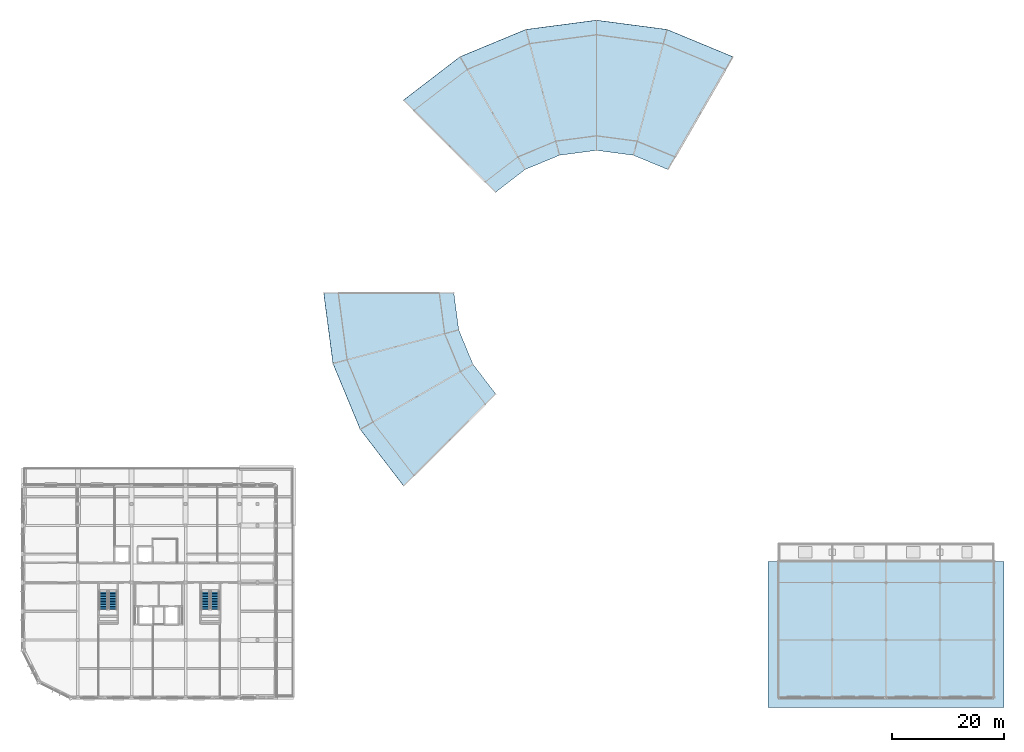
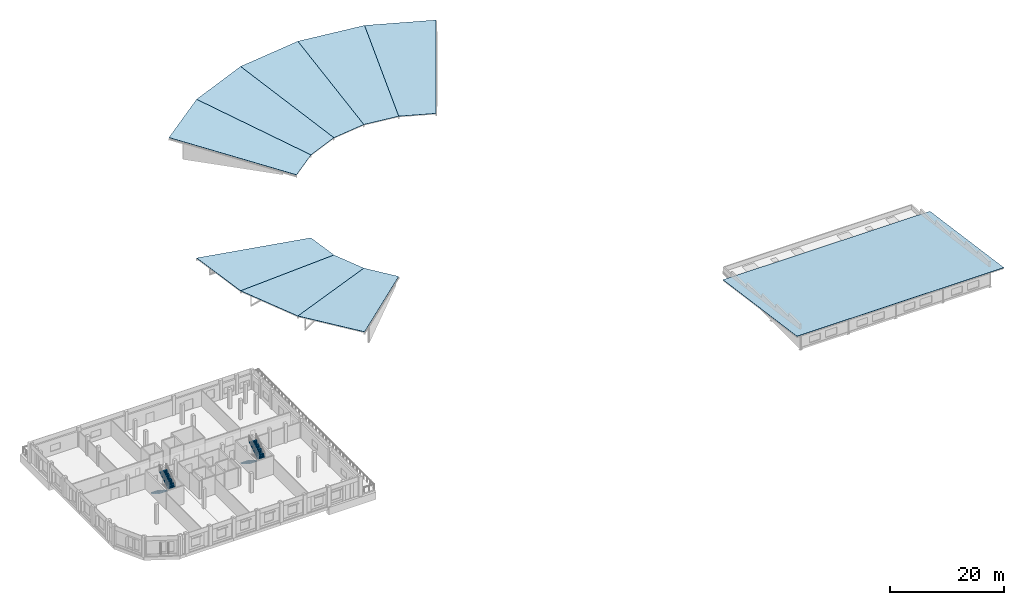
# One storey, part 63 of 70: 9 roofs, 4 stair flights, 2 elements without a shape of their own.
"""IFC4 building model written with IfcOpenShell, lengths in metres."""

from ifc_helpers import new_model, si_unit, direction, frame, origin, place, context, subcontext, project, spatial, polyline, outline, extrude, material, layer, layer_set, type_object, element, aggregate, save


model = new_model("IFC4")

# Units and contexts
model_context = context("Model", 3, precision=1e-05, world=origin(), true_north=direction((0.0, 1.0)))
body_context = subcontext(model_context, "Body", "Model", "MODEL_VIEW")
ifc_project = project(units=[si_unit("LENGTHUNIT", "METRE"), si_unit("AREAUNIT", "SQUARE_METRE"), si_unit("VOLUMEUNIT", "CUBIC_METRE"), si_unit("PLANEANGLEUNIT", "RADIAN"), si_unit("MASSUNIT", "GRAM", prefix="KILO")], contexts=[model_context])

# Site, building, storey
site_placement = place(None, origin())
site = spatial("IfcSite", under=ifc_project, at=site_placement, CompositionType="ELEMENT")
building_placement = place(site_placement, origin())
building = spatial("IfcBuilding", under=site, at=building_placement, Name="Vondelvale Polytechnic", CompositionType="ELEMENT")
storey_placement = place(building_placement, frame((0.0, 0.0, 22.199951171875)))
storey = spatial("IfcBuildingStorey", under=building, at=storey_placement, Name="L05", CompositionType="ELEMENT", Elevation=22.199951171875)

# Stair, stair flights
ifc_material_1 = material(Name="Concrete N40 (f'c = 40 MPa)", Category="concrete")
stair_type = type_object("IfcStairType", Name="STR-DOG-1500", PredefinedType="HALF_TURN_STAIR", material=ifc_material_1)
stair_1_placement = place(storey_placement, origin())
stair_1 = element("IfcStair", 1, at=stair_1_placement, inside=storey, type_object=stair_type, Name="L05 ST-03", PredefinedType="HALF_TURN_STAIR")
stair_flight_type = type_object("IfcStairFlightType", Name="STF-DOG-1500", PredefinedType="STRAIGHT", material=ifc_material_1)
stair_flight_1_placement = place(storey_placement, frame((14.14990234375, 18.75, 0.0), z_axis=(0.0, 0.0, 1.0), x_axis=(0.0, -1.0, 0.0)))
stair_flight_1 = element("IfcStairFlight", 2, at=stair_flight_1_placement, type_object=stair_flight_type, Name="ST-03 flight 1", NumberOfRisers=12, NumberOfTreads=11, PredefinedType="STRAIGHT", RiserHeight=0.175, TreadLength=0.285, context=body_context, shape_type="SweptSolid", body=[
    extrude(outline(polyline([(0.0, 0.0), (0.0, 0.175048828125), (0.284912109375, 0.175048828125), (0.284912109375, 0.35009765625), (0.570068359375, 0.35009765625), (0.570068359375, 0.52490234375), (0.85498046875, 0.52490234375), (0.85498046875, 0.699951171875), (1.139892578125, 0.699951171875), (1.139892578125, 0.875), (1.425048828125, 0.875), (1.425048828125, 1.050048828125), (1.7099609375, 1.050048828125), (1.7099609375, 1.22509765625), (1.9951171875, 1.22509765625), (1.9951171875, 1.39990234375), (2.280029296875, 1.39990234375), (2.280029296875, 1.574951171875), (2.56494140625, 1.574951171875), (2.56494140625, 1.75), (2.85009765625, 1.75), (2.85009765625, 1.925048828125), (3.135009765625, 1.925048828125), (3.135009765625, 2.10009765625), (3.135009765625, 1.7373046875), (0.3056640625, 0.0), (0.0, 0.0)])), frame((0.0, 0.75, 0.0), z_axis=(0.0, -1.0, 0.0), x_axis=(1.0, 0.0, 0.0)), (0.0, 0.0, 1.0), 1.5),
])
stair_flight_2_placement = place(storey_placement, frame((15.85009765625, 15.614990234375, 2.10009765625), z_axis=(0.0, 0.0, 1.0), x_axis=(0.0, 1.0, 0.0)))
stair_flight_2 = element("IfcStairFlight", 3, at=stair_flight_2_placement, type_object=stair_flight_type, Name="ST-03 flight 2", NumberOfRisers=12, NumberOfTreads=11, PredefinedType="STRAIGHT", RiserHeight=0.175, TreadLength=0.285, context=body_context, shape_type="SweptSolid", body=[
    extrude(outline(polyline([(0.0, 0.0), (0.0, 0.175048828125), (0.284912109375, 0.175048828125), (0.284912109375, 0.35009765625), (0.570068359375, 0.35009765625), (0.570068359375, 0.52490234375), (0.85498046875, 0.52490234375), (0.85498046875, 0.699951171875), (1.139892578125, 0.699951171875), (1.139892578125, 0.875), (1.425048828125, 0.875), (1.425048828125, 1.050048828125), (1.7099609375, 1.050048828125), (1.7099609375, 1.22509765625), (1.9951171875, 1.22509765625), (1.9951171875, 1.39990234375), (2.280029296875, 1.39990234375), (2.280029296875, 1.574951171875), (2.56494140625, 1.574951171875), (2.56494140625, 1.75), (2.85009765625, 1.75), (2.85009765625, 1.925048828125), (3.135009765625, 1.925048828125), (3.135009765625, 2.10009765625), (3.135009765625, 1.7373046875), (0.3056640625, 0.0), (0.0, 0.0)])), frame((0.0, 0.75, 0.0), z_axis=(0.0, -1.0, 0.0), x_axis=(1.0, 0.0, 0.0)), (0.0, 0.0, 1.0), 1.5),
])
aggregate(stair_1, [stair_flight_1, stair_flight_2])

stair_2_placement = place(storey_placement, origin())
stair_2 = element("IfcStair", 4, at=stair_2_placement, inside=storey, type_object=stair_type, Name="L05 ST-04", PredefinedType="HALF_TURN_STAIR")
stair_flight_3_placement = place(storey_placement, frame((32.35009765625, 18.75, 0.0), z_axis=(0.0, 0.0, 1.0), x_axis=(0.0, -1.0, 0.0)))
stair_flight_3 = element("IfcStairFlight", 5, at=stair_flight_3_placement, type_object=stair_flight_type, Name="ST-04 flight 1", NumberOfRisers=12, NumberOfTreads=11, PredefinedType="STRAIGHT", RiserHeight=0.175, TreadLength=0.285, context=body_context, shape_type="SweptSolid", body=[
    extrude(outline(polyline([(0.0, 0.0), (0.0, 0.175048828125), (0.284912109375, 0.175048828125), (0.284912109375, 0.35009765625), (0.570068359375, 0.35009765625), (0.570068359375, 0.52490234375), (0.85498046875, 0.52490234375), (0.85498046875, 0.699951171875), (1.139892578125, 0.699951171875), (1.139892578125, 0.875), (1.425048828125, 0.875), (1.425048828125, 1.050048828125), (1.7099609375, 1.050048828125), (1.7099609375, 1.22509765625), (1.9951171875, 1.22509765625), (1.9951171875, 1.39990234375), (2.280029296875, 1.39990234375), (2.280029296875, 1.574951171875), (2.56494140625, 1.574951171875), (2.56494140625, 1.75), (2.85009765625, 1.75), (2.85009765625, 1.925048828125), (3.135009765625, 1.925048828125), (3.135009765625, 2.10009765625), (3.135009765625, 1.7373046875), (0.3056640625, 0.0), (0.0, 0.0)])), frame((0.0, 0.75, 0.0), z_axis=(0.0, -1.0, 0.0), x_axis=(1.0, 0.0, 0.0)), (0.0, 0.0, 1.0), 1.5),
])
stair_flight_4_placement = place(storey_placement, frame((34.050048828125, 15.614990234375, 2.10009765625), z_axis=(0.0, 0.0, 1.0), x_axis=(0.0, 1.0, 0.0)))
stair_flight_4 = element("IfcStairFlight", 6, at=stair_flight_4_placement, type_object=stair_flight_type, Name="ST-04 flight 2", NumberOfRisers=12, NumberOfTreads=11, PredefinedType="STRAIGHT", RiserHeight=0.175, TreadLength=0.285, context=body_context, shape_type="SweptSolid", body=[
    extrude(outline(polyline([(0.0, 0.0), (0.0, 0.175048828125), (0.284912109375, 0.175048828125), (0.284912109375, 0.35009765625), (0.570068359375, 0.35009765625), (0.570068359375, 0.52490234375), (0.85498046875, 0.52490234375), (0.85498046875, 0.699951171875), (1.139892578125, 0.699951171875), (1.139892578125, 0.875), (1.425048828125, 0.875), (1.425048828125, 1.050048828125), (1.7099609375, 1.050048828125), (1.7099609375, 1.22509765625), (1.9951171875, 1.22509765625), (1.9951171875, 1.39990234375), (2.280029296875, 1.39990234375), (2.280029296875, 1.574951171875), (2.56494140625, 1.574951171875), (2.56494140625, 1.75), (2.85009765625, 1.75), (2.85009765625, 1.925048828125), (3.135009765625, 1.925048828125), (3.135009765625, 2.10009765625), (3.135009765625, 1.7373046875), (0.3056640625, 0.0), (0.0, 0.0)])), frame((0.0, 0.75, 0.0), z_axis=(0.0, -1.0, 0.0), x_axis=(1.0, 0.0, 0.0)), (0.0, 0.0, 1.0), 1.5),
])
aggregate(stair_2, [stair_flight_3, stair_flight_4])

# Roofs
ifc_material_2 = material(Name="Dark zinc-bronze standing-seam insulated roof system")
ifc_layer_1 = layer(ifc_material_2, 0.06005859375)
ifc_layer_set_1 = layer_set([ifc_layer_1], Name="RF-ZINC-RING")
roof_type_1 = type_object("IfcRoofType", Name="RF-ZINC-RING", PredefinedType="SHED_ROOF", material=ifc_layer_set_1)
roof_1_placement = place(storey_placement, frame((114.699951171875, 93.9970703125, 0.330078125), z_axis=(-0.062376311028, -0.150590999507, 0.986626346035), x_axis=(0.493427837562, 0.854635232916, 0.161640303693)))
element("IfcRoof", 7, at=roof_1_placement, inside=storey, type_object=roof_type_1, Name="Circular cloister dark zinc roof sector 04", PredefinedType="SHED_ROOF", context=body_context, shape_type="SweptSolid", body=[
    extrude(outline(polyline([(0.0, 0.0), (23.50920965061897, 1.4988010832439613e-15), (21.874973070490455, 12.58151533349702), (-0.854215655375723, 6.575413851727523), (0.0, 0.0)])), origin(), (0.0, 0.0, -1.0), 0.06005859375),
])
roof_2_placement = place(storey_placement, frame((108.573974609375, 96.534423828125, 0.330078125), z_axis=(-0.021275467916, -0.161603329064, 0.986626433104), x_axis=(0.255414977461, 0.953223858358, 0.161639924354)))
element("IfcRoof", 8, at=roof_2_placement, inside=storey, type_object=roof_type_1, Name="Circular cloister dark zinc roof sector 05", PredefinedType="SHED_ROOF", context=body_context, shape_type="SweptSolid", body=[
    extrude(outline(polyline([(0.0, 0.0), (23.50934442185768, 1.0408340855860843e-15), (21.875122488874485, 12.581462004047061), (-0.8540968066921539, 6.575463015675313), (0.0, 0.0)])), origin(), (0.0, 0.0, -1.0), 0.06005859375),
])
roof_3_placement = place(storey_placement, frame((102.0, 97.39990234375, 0.330078125), z_axis=(0.021275467916, -0.161603329064, 0.986626433104), x_axis=(1.6e-10, 0.986849804964, 0.161639915995)))
element("IfcRoof", 9, at=roof_3_placement, inside=storey, type_object=roof_type_1, Name="Circular cloister dark zinc roof sector 06", PredefinedType="SHED_ROOF", context=body_context, shape_type="SweptSolid", body=[
    extrude(outline(polyline([(0.0, 0.0), (23.50934779261818, 0.0), (21.875118731265488, 12.58146107813212), (-0.8540973053951506, 6.575462950898008), (0.0, 0.0)])), origin(), (0.0, 0.0, -1.0), 0.06005859375),
])
roof_4_placement = place(storey_placement, frame((95.426025390625, 96.534423828125, 0.330078125), z_axis=(0.062376311028, -0.150590999507, 0.986626346035), x_axis=(-0.255414942232, 0.95322377248, 0.161640486462)))
element("IfcRoof", 10, at=roof_4_placement, inside=storey, type_object=roof_type_1, Name="Circular cloister dark zinc roof sector 07", PredefinedType="SHED_ROOF", context=body_context, shape_type="SweptSolid", body=[
    extrude(outline(polyline([(0.0, 0.0), (23.509344421853964, 0.0), (21.87505868655071, 12.581508948541707), (-0.853999740453026, 6.575441897749939), (0.0, 0.0)])), origin(), (0.0, 0.0, -1.0), 0.06005859375),
])
roof_5_placement = place(storey_placement, frame((89.300048828125, 93.9970703125, 0.330078125), z_axis=(0.09922705884, -0.129315091006, 0.986626372054), x_axis=(-0.493427854302, 0.854635215769, 0.161640343248)))
element("IfcRoof", 11, at=roof_5_placement, inside=storey, type_object=roof_type_1, Name="Circular cloister dark zinc roof sector 08", PredefinedType="SHED_ROOF", context=body_context, shape_type="SweptSolid", body=[
    extrude(outline(polyline([(0.0, 0.0), (23.50920965061948, -2.2898349882893854e-15), (21.87509307989471, 12.58146535201625), (-0.8541622756052316, 6.575527078680868), (0.0, 0.0)])), origin(), (0.0, 0.0, -1.0), 0.06005859375),
])
roof_6_placement = place(storey_placement, frame((76.60009765625, 72.0, 0.330078125), z_axis=(0.161603329064, 0.021275467916, 0.986626433104), x_axis=(-0.986849804964, 1.6e-10, 0.161639915995)))
element("IfcRoof", 12, at=roof_6_placement, inside=storey, type_object=roof_type_1, Name="Circular cloister dark zinc roof sector 12", PredefinedType="SHED_ROOF", context=body_context, shape_type="SweptSolid", body=[
    extrude(outline(polyline([(0.0, 0.0), (23.50934779261818, 0.0), (21.875118731265488, 12.58146107813212), (-0.8540973053951506, 6.575462950898008), (0.0, 0.0)])), origin(), (0.0, 0.0, -1.0), 0.06005859375),
])
roof_7_placement = place(storey_placement, frame((77.465576171875, 65.426025390625, 0.330078125), z_axis=(0.150590999507, 0.062376311028, 0.986626346035), x_axis=(-0.95322377248, -0.255414942232, 0.161640486462)))
element("IfcRoof", 13, at=roof_7_placement, inside=storey, type_object=roof_type_1, Name="Circular cloister dark zinc roof sector 13", PredefinedType="SHED_ROOF", context=body_context, shape_type="SweptSolid", body=[
    extrude(outline(polyline([(0.0, 0.0), (23.509344421853964, 0.0), (21.87505868655071, 12.581508948541707), (-0.853999740453026, 6.575441897749939), (0.0, 0.0)])), origin(), (0.0, 0.0, -1.0), 0.06005859375),
])
roof_8_placement = place(storey_placement, frame((80.0029296875, 59.300048828125, 0.330078125), z_axis=(0.129315091006, 0.09922705884, 0.986626372054), x_axis=(-0.854635215769, -0.493427854302, 0.161640343248)))
element("IfcRoof", 14, at=roof_8_placement, inside=storey, type_object=roof_type_1, Name="Circular cloister dark zinc roof sector 14", PredefinedType="SHED_ROOF", context=body_context, shape_type="SweptSolid", body=[
    extrude(outline(polyline([(0.0, 0.0), (23.50920965061948, -2.2898349882893854e-15), (21.87509307989471, 12.58146535201625), (-0.8541622756052316, 6.575527078680868), (0.0, 0.0)])), origin(), (0.0, 0.0, -1.0), 0.06005859375),
])
ifc_layer_2 = layer(ifc_material_2, 0.06005859375)
ifc_layer_set_2 = layer_set([ifc_layer_2], Name="RF-ZINC-WING")
roof_type_2 = type_object("IfcRoofType", Name="RF-ZINC-WING", PredefinedType="SHED_ROOF", material=ifc_layer_set_2)
roof_9_placement = place(storey_placement, frame((132.60009765625, -1.800048828125, 4.360107421875), z_axis=(0.0, 0.139026864916, 0.990288609867), x_axis=(1.0, 0.0, 0.0)))
element("IfcRoof", 15, at=roof_9_placement, inside=storey, type_object=roof_type_2, Name="Lecture wing standing-seam zinc roof", PredefinedType="SHED_ROOF", context=body_context, shape_type="SweptSolid", body=[
    extrude(outline(polyline([(0.0, 0.0), (42.0, 0.0), (42.0, 26.254972278739796), (0.0, 26.254972278739796), (0.0, 0.0)])), origin(), (0.0, 0.0, -1.0), 0.06005859375),
])

save(model, "model.ifc")
